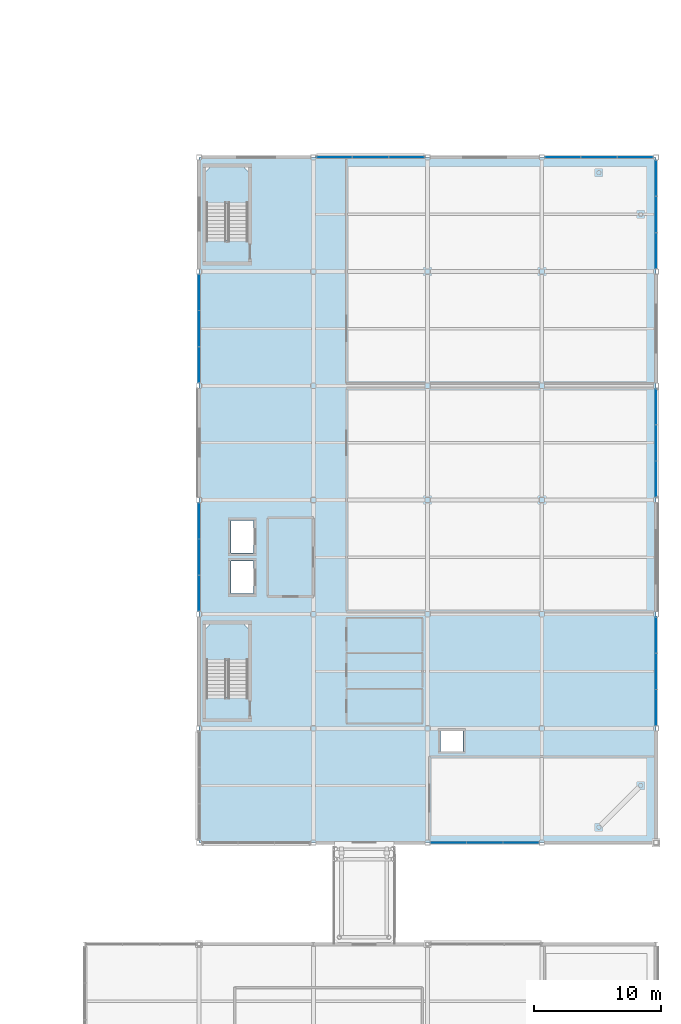
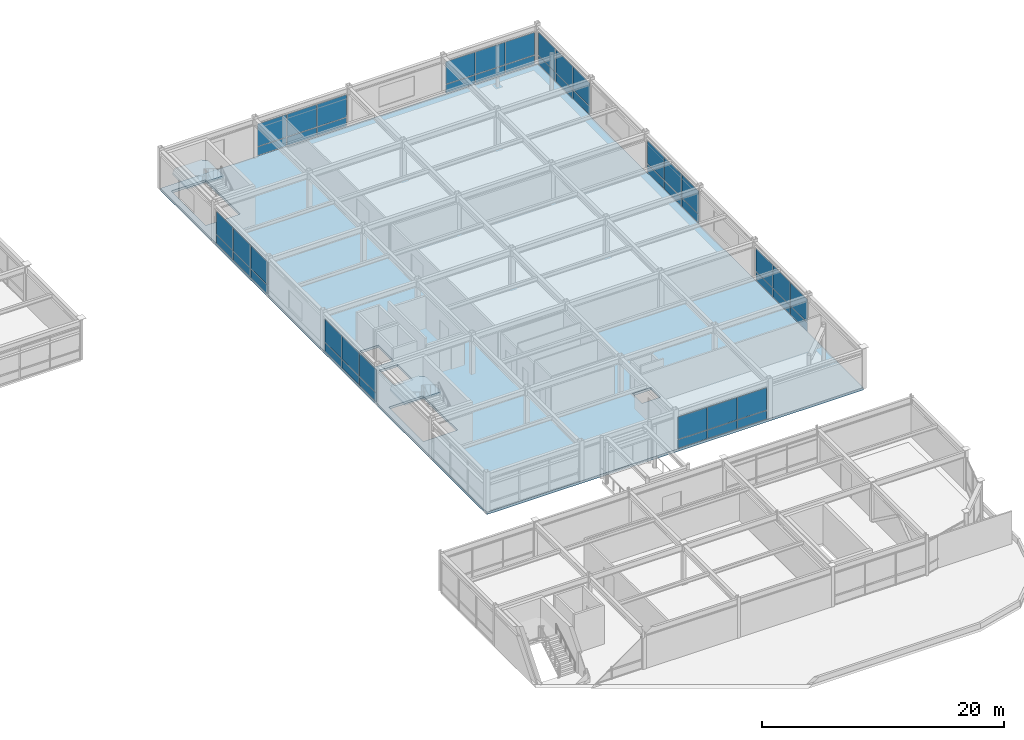
# One storey, part 43 of 70: 48 plates, 3 slabs, 10 elements without a shape of their own.
"""IFC4 building model written with IfcOpenShell, lengths in metres."""

from ifc_helpers import new_model, si_unit, direction, frame, origin, origin_2d, place, context, subcontext, project, spatial, polyline, rectangle, outline, extrude, material, layer, layer_set, type_object, element, aggregate, save


model = new_model("IFC4")

# Units and contexts
model_context = context("Model", 3, precision=1e-05, world=origin(), true_north=direction((0.0, 1.0)))
body_context = subcontext(model_context, "Body", "Model", "MODEL_VIEW")
ifc_project = project(units=[si_unit("LENGTHUNIT", "METRE"), si_unit("AREAUNIT", "SQUARE_METRE"), si_unit("VOLUMEUNIT", "CUBIC_METRE"), si_unit("PLANEANGLEUNIT", "RADIAN"), si_unit("MASSUNIT", "GRAM", prefix="KILO")], contexts=[model_context])

# Site, building, storey
site_placement = place(None, origin())
site = spatial("IfcSite", under=ifc_project, at=site_placement, CompositionType="ELEMENT")
building_placement = place(site_placement, origin())
building = spatial("IfcBuilding", under=site, at=building_placement, Name="Suzunagisa Mobility Hub", CompositionType="ELEMENT")
storey_placement = place(building_placement, frame((0.0, 0.0, 13.5)))
storey = spatial("IfcBuildingStorey", under=building, at=storey_placement, Name="L03", CompositionType="ELEMENT", Elevation=13.5)

# Slab
ifc_material_1 = material(Name="Concrete C35/45", Category="concrete")
ifc_layer_1 = layer(ifc_material_1, 0.25)
ifc_layer_set_1 = layer_set([ifc_layer_1], Name="Concrete C35/45")
slab_type_1 = type_object("IfcSlabType", Name="Composite Slab SL-13 250mm", PredefinedType="FLOOR", material=ifc_layer_set_1)
slab_1_placement = place(storey_placement, frame((0.0, 0.0, -0.25)))
element("IfcSlab", 1, at=slab_1_placement, inside=storey, type_object=slab_type_1, Name="L03 V6N Floor Slab", PredefinedType="FLOOR", context=body_context, shape_type="SweptSolid", body=[
    extrude(outline(polyline([(144.0, 44.0), (180.0, 44.0), (180.0, 98.0), (144.0, 98.0), (144.0, 44.0)]), holes=[polyline([(163.0, 51.199951171875), (164.800048828125, 51.199951171875), (164.800048828125, 52.800048828125), (163.0, 52.800048828125), (163.0, 51.199951171875)]), polyline([(144.56005859375, 55.47998046875), (147.840087890625, 55.47998046875), (147.840087890625, 61.199951171875), (144.56005859375, 61.199951171875), (144.56005859375, 55.47998046875)]), polyline([(146.52001953125, 63.6201171875), (148.280029296875, 63.6201171875), (148.280029296875, 66.179931640625), (146.52001953125, 66.179931640625), (146.52001953125, 63.6201171875)]), polyline([(146.52001953125, 66.820068359375), (148.280029296875, 66.820068359375), (148.280029296875, 69.3798828125), (146.52001953125, 69.3798828125), (146.52001953125, 66.820068359375)]), polyline([(144.56005859375, 91.47998046875), (147.840087890625, 91.47998046875), (147.840087890625, 97.199951171875), (144.56005859375, 97.199951171875), (144.56005859375, 91.47998046875)])]), origin(), (0.0, 0.0, 1.0), 0.25),
])

# Stair, slab
stair_type_1 = type_object("IfcStairType", Name="Dog-Leg Core Escape Stair ST-11 W1560", PredefinedType="HALF_TURN_STAIR", material=ifc_material_1)
stair_1_placement = place(storey_placement, origin())
stair_1 = element("IfcStair", 2, at=stair_1_placement, inside=storey, type_object=stair_type_1, Name="L03 Core C5 Escape Stair ST-11", PredefinedType="HALF_TURN_STAIR")
ifc_layer_2 = layer(ifc_material_1, 0.199951171875)
ifc_layer_set_2 = layer_set([ifc_layer_2], Name="Concrete C35/45")
slab_type_2 = type_object("IfcSlabType", Name="Core Stair Half-Landing Slab SL-SLND", PredefinedType="LANDING", material=ifc_layer_set_2)
slab_2_placement = place(storey_placement, frame((0.0, 0.0, 1.89990234375)))
slab_2 = element("IfcSlab", 3, at=slab_2_placement, type_object=slab_type_2, Name="ST-11 landing 1", PredefinedType="LANDING", context=body_context, shape_type="SweptSolid", body=[
    extrude(outline(polyline([(144.4599609375, 58.360107421875), (147.93994140625, 58.360107421875), (147.93994140625, 60.820068359375), (147.4599609375, 61.300048828125), (144.93994140625, 61.300048828125), (144.4599609375, 60.820068359375), (144.4599609375, 58.360107421875)])), origin(), (0.0, 0.0, 1.0), 0.2001953125),
])
aggregate(stair_1, [slab_2])

stair_type_2 = type_object("IfcStairType", Name="Dog-Leg Core Escape Stair ST-12 W1560", PredefinedType="HALF_TURN_STAIR", material=ifc_material_1)
stair_2_placement = place(storey_placement, origin())
stair_2 = element("IfcStair", 4, at=stair_2_placement, inside=storey, type_object=stair_type_2, Name="L03 Core C5B Escape Stair ST-12", PredefinedType="HALF_TURN_STAIR")
slab_3_placement = place(storey_placement, frame((0.0, 0.0, 1.89990234375)))
slab_3 = element("IfcSlab", 5, at=slab_3_placement, type_object=slab_type_2, Name="ST-12 landing 1", PredefinedType="LANDING", context=body_context, shape_type="SweptSolid", body=[
    extrude(outline(polyline([(144.4599609375, 94.360107421875), (147.93994140625, 94.360107421875), (147.93994140625, 96.820068359375), (147.4599609375, 97.300048828125), (144.93994140625, 97.300048828125), (144.4599609375, 96.820068359375), (144.4599609375, 94.360107421875)])), origin(), (0.0, 0.0, 1.0), 0.2001953125),
])
aggregate(stair_2, [slab_3])

# Curtain wall, plates
ifc_material_2 = material(Name="Thermally Broken Anodized Aluminum and Low-E Glazing", Category="aluminium")
curtain_wall_type_1 = type_object("IfcCurtainWallType", Name="Unitised Curtain Wall CW-43 8500x3300", PredefinedType="USERDEFINED", material=ifc_material_2)
curtain_wall_1_placement = place(storey_placement, origin())
curtain_wall_1 = element("IfcCurtainWall", 6, at=curtain_wall_1_placement, inside=storey, type_object=curtain_wall_type_1, Name="L03 Unitised Curtain Wall CW-205", ObjectType="UNITISED CURTAIN WALL", PredefinedType="USERDEFINED")
ifc_material_3 = material(Name="Low-E Solar-Control Double Glazing", Category="glass")
ifc_layer_3 = layer(ifc_material_3, 0.028076171875)
ifc_layer_set_3 = layer_set([ifc_layer_3], Name="Low-E Solar-Control Double Glazing")
plate_type = type_object("IfcPlateType", Name="Low-E Double Glazed Curtain Panel GP-01 28mm", PredefinedType="CURTAIN_PANEL", material=ifc_layer_set_3)
plate_1_placement = place(storey_placement, frame((163.648193359375, 44.0, 0.06298828125), z_axis=(0.0, 0.0, 1.0), x_axis=(1.0, 0.0, 0.0)))
plate_1 = element("IfcPlate", 7, at=plate_1_placement, type_object=plate_type, Name="Curtain Wall Glazing Panel 205-P1.1", PredefinedType="CURTAIN_PANEL", context=body_context, shape_type="SweptSolid", body=[
    extrude(rectangle(XDim=2.78076171875, YDim=0.028076171875, at=origin_2d()), origin(), (0.0, 0.0, 1.0), 0.8564453125),
])
plate_2_placement = place(storey_placement, frame((163.648193359375, 44.0, 0.98046875), z_axis=(0.0, 0.0, 1.0), x_axis=(1.0, 0.0, 0.0)))
plate_2 = element("IfcPlate", 8, at=plate_2_placement, type_object=plate_type, Name="Curtain Wall Glazing Panel 205-P1.2", PredefinedType="CURTAIN_PANEL", context=body_context, shape_type="SweptSolid", body=[
    extrude(rectangle(XDim=2.78076171875, YDim=0.028076171875, at=origin_2d()), origin(), (0.0, 0.0, 1.0), 2.24658203125),
])
plate_3_placement = place(storey_placement, frame((166.5, 44.0, 0.06298828125), z_axis=(0.0, 0.0, 1.0), x_axis=(1.0, 0.0, 0.0)))
plate_3 = element("IfcPlate", 9, at=plate_3_placement, type_object=plate_type, Name="Curtain Wall Glazing Panel 205-P2.1", PredefinedType="CURTAIN_PANEL", context=body_context, shape_type="SweptSolid", body=[
    extrude(rectangle(XDim=2.810546875, YDim=0.028076171875, at=origin_2d()), origin(), (0.0, 0.0, 1.0), 0.8564453125),
])
plate_4_placement = place(storey_placement, frame((166.5, 44.0, 0.98046875), z_axis=(0.0, 0.0, 1.0), x_axis=(1.0, 0.0, 0.0)))
plate_4 = element("IfcPlate", 10, at=plate_4_placement, type_object=plate_type, Name="Curtain Wall Glazing Panel 205-P2.2", PredefinedType="CURTAIN_PANEL", context=body_context, shape_type="SweptSolid", body=[
    extrude(rectangle(XDim=2.810546875, YDim=0.028076171875, at=origin_2d()), origin(), (0.0, 0.0, 1.0), 2.24658203125),
])
plate_5_placement = place(storey_placement, frame((169.3515625, 44.0, 0.06298828125), z_axis=(0.0, 0.0, 1.0), x_axis=(1.0, 0.0, 0.0)))
plate_5 = element("IfcPlate", 11, at=plate_5_placement, type_object=plate_type, Name="Curtain Wall Glazing Panel 205-P3.1", PredefinedType="CURTAIN_PANEL", context=body_context, shape_type="SweptSolid", body=[
    extrude(rectangle(XDim=2.78076171875, YDim=0.028076171875, at=origin_2d()), origin(), (0.0, 0.0, 1.0), 0.8564453125),
])
plate_6_placement = place(storey_placement, frame((169.3515625, 44.0, 0.98046875), z_axis=(0.0, 0.0, 1.0), x_axis=(1.0, 0.0, 0.0)))
plate_6 = element("IfcPlate", 12, at=plate_6_placement, type_object=plate_type, Name="Curtain Wall Glazing Panel 205-P3.2", PredefinedType="CURTAIN_PANEL", context=body_context, shape_type="SweptSolid", body=[
    extrude(rectangle(XDim=2.78076171875, YDim=0.028076171875, at=origin_2d()), origin(), (0.0, 0.0, 1.0), 2.24658203125),
])
aggregate(curtain_wall_1, [plate_1, plate_2, plate_3, plate_4, plate_5, plate_6])

curtain_wall_type_2 = type_object("IfcCurtainWallType", Name="Unitised Curtain Wall CW-29 8500x3400", PredefinedType="USERDEFINED", material=ifc_material_2)
curtain_wall_2_placement = place(storey_placement, origin())
curtain_wall_2 = element("IfcCurtainWall", 13, at=curtain_wall_2_placement, inside=storey, type_object=curtain_wall_type_2, Name="L03 Unitised Curtain Wall CW-206", ObjectType="UNITISED CURTAIN WALL", PredefinedType="USERDEFINED")
plate_7_placement = place(storey_placement, frame((180.0, 54.6484375, 0.06298828125), z_axis=(0.0, 0.0, 1.0), x_axis=(0.0, 1.0, 0.0)))
plate_7 = element("IfcPlate", 14, at=plate_7_placement, type_object=plate_type, Name="Curtain Wall Glazing Panel 206-P1.1", PredefinedType="CURTAIN_PANEL", context=body_context, shape_type="SweptSolid", body=[
    extrude(rectangle(XDim=2.78076171875, YDim=0.028076171875, at=origin_2d()), origin(), (0.0, 0.0, 1.0), 0.8564453125),
])
plate_8_placement = place(storey_placement, frame((180.0, 54.6484375, 0.98046875), z_axis=(0.0, 0.0, 1.0), x_axis=(0.0, 1.0, 0.0)))
plate_8 = element("IfcPlate", 15, at=plate_8_placement, type_object=plate_type, Name="Curtain Wall Glazing Panel 206-P1.2", PredefinedType="CURTAIN_PANEL", context=body_context, shape_type="SweptSolid", body=[
    extrude(rectangle(XDim=2.78076171875, YDim=0.028076171875, at=origin_2d()), origin(), (0.0, 0.0, 1.0), 2.30859375),
])
plate_9_placement = place(storey_placement, frame((180.0, 57.5, 0.06298828125), z_axis=(0.0, 0.0, 1.0), x_axis=(0.0, 1.0, 0.0)))
plate_9 = element("IfcPlate", 16, at=plate_9_placement, type_object=plate_type, Name="Curtain Wall Glazing Panel 206-P2.1", PredefinedType="CURTAIN_PANEL", context=body_context, shape_type="SweptSolid", body=[
    extrude(rectangle(XDim=2.810546875, YDim=0.028076171875, at=origin_2d()), origin(), (0.0, 0.0, 1.0), 0.8564453125),
])
plate_10_placement = place(storey_placement, frame((180.0, 57.5, 0.98046875), z_axis=(0.0, 0.0, 1.0), x_axis=(0.0, 1.0, 0.0)))
plate_10 = element("IfcPlate", 17, at=plate_10_placement, type_object=plate_type, Name="Curtain Wall Glazing Panel 206-P2.2", PredefinedType="CURTAIN_PANEL", context=body_context, shape_type="SweptSolid", body=[
    extrude(rectangle(XDim=2.810546875, YDim=0.028076171875, at=origin_2d()), origin(), (0.0, 0.0, 1.0), 2.30859375),
])
plate_11_placement = place(storey_placement, frame((180.0, 60.351806640625, 0.06298828125), z_axis=(0.0, 0.0, 1.0), x_axis=(0.0, 1.0, 0.0)))
plate_11 = element("IfcPlate", 18, at=plate_11_placement, type_object=plate_type, Name="Curtain Wall Glazing Panel 206-P3.1", PredefinedType="CURTAIN_PANEL", context=body_context, shape_type="SweptSolid", body=[
    extrude(rectangle(XDim=2.78076171875, YDim=0.028076171875, at=origin_2d()), origin(), (0.0, 0.0, 1.0), 0.8564453125),
])
plate_12_placement = place(storey_placement, frame((180.0, 60.351806640625, 0.98046875), z_axis=(0.0, 0.0, 1.0), x_axis=(0.0, 1.0, 0.0)))
plate_12 = element("IfcPlate", 19, at=plate_12_placement, type_object=plate_type, Name="Curtain Wall Glazing Panel 206-P3.2", PredefinedType="CURTAIN_PANEL", context=body_context, shape_type="SweptSolid", body=[
    extrude(rectangle(XDim=2.78076171875, YDim=0.028076171875, at=origin_2d()), origin(), (0.0, 0.0, 1.0), 2.30859375),
])
aggregate(curtain_wall_2, [plate_7, plate_8, plate_9, plate_10, plate_11, plate_12])

curtain_wall_3_placement = place(storey_placement, origin())
curtain_wall_3 = element("IfcCurtainWall", 20, at=curtain_wall_3_placement, inside=storey, type_object=curtain_wall_type_2, Name="L03 Unitised Curtain Wall CW-207", ObjectType="UNITISED CURTAIN WALL", PredefinedType="USERDEFINED")
plate_13_placement = place(storey_placement, frame((180.0, 72.6484375, 0.06298828125), z_axis=(0.0, 0.0, 1.0), x_axis=(0.0, 1.0, 0.0)))
plate_13 = element("IfcPlate", 21, at=plate_13_placement, type_object=plate_type, Name="Curtain Wall Glazing Panel 207-P1.1", PredefinedType="CURTAIN_PANEL", context=body_context, shape_type="SweptSolid", body=[
    extrude(rectangle(XDim=2.78076171875, YDim=0.028076171875, at=origin_2d()), origin(), (0.0, 0.0, 1.0), 0.8564453125),
])
plate_14_placement = place(storey_placement, frame((180.0, 72.6484375, 0.98046875), z_axis=(0.0, 0.0, 1.0), x_axis=(0.0, 1.0, 0.0)))
plate_14 = element("IfcPlate", 22, at=plate_14_placement, type_object=plate_type, Name="Curtain Wall Glazing Panel 207-P1.2", PredefinedType="CURTAIN_PANEL", context=body_context, shape_type="SweptSolid", body=[
    extrude(rectangle(XDim=2.78076171875, YDim=0.028076171875, at=origin_2d()), origin(), (0.0, 0.0, 1.0), 2.318603515625),
])
plate_15_placement = place(storey_placement, frame((180.0, 75.5, 0.06298828125), z_axis=(0.0, 0.0, 1.0), x_axis=(0.0, 1.0, 0.0)))
plate_15 = element("IfcPlate", 23, at=plate_15_placement, type_object=plate_type, Name="Curtain Wall Glazing Panel 207-P2.1", PredefinedType="CURTAIN_PANEL", context=body_context, shape_type="SweptSolid", body=[
    extrude(rectangle(XDim=2.810546875, YDim=0.028076171875, at=origin_2d()), origin(), (0.0, 0.0, 1.0), 0.8564453125),
])
plate_16_placement = place(storey_placement, frame((180.0, 75.5, 0.98046875), z_axis=(0.0, 0.0, 1.0), x_axis=(0.0, 1.0, 0.0)))
plate_16 = element("IfcPlate", 24, at=plate_16_placement, type_object=plate_type, Name="Curtain Wall Glazing Panel 207-P2.2", PredefinedType="CURTAIN_PANEL", context=body_context, shape_type="SweptSolid", body=[
    extrude(rectangle(XDim=2.810546875, YDim=0.028076171875, at=origin_2d()), origin(), (0.0, 0.0, 1.0), 2.318603515625),
])
plate_17_placement = place(storey_placement, frame((180.0, 78.351806640625, 0.06298828125), z_axis=(0.0, 0.0, 1.0), x_axis=(0.0, 1.0, 0.0)))
plate_17 = element("IfcPlate", 25, at=plate_17_placement, type_object=plate_type, Name="Curtain Wall Glazing Panel 207-P3.1", PredefinedType="CURTAIN_PANEL", context=body_context, shape_type="SweptSolid", body=[
    extrude(rectangle(XDim=2.78076171875, YDim=0.028076171875, at=origin_2d()), origin(), (0.0, 0.0, 1.0), 0.8564453125),
])
plate_18_placement = place(storey_placement, frame((180.0, 78.351806640625, 0.98046875), z_axis=(0.0, 0.0, 1.0), x_axis=(0.0, 1.0, 0.0)))
plate_18 = element("IfcPlate", 26, at=plate_18_placement, type_object=plate_type, Name="Curtain Wall Glazing Panel 207-P3.2", PredefinedType="CURTAIN_PANEL", context=body_context, shape_type="SweptSolid", body=[
    extrude(rectangle(XDim=2.78076171875, YDim=0.028076171875, at=origin_2d()), origin(), (0.0, 0.0, 1.0), 2.318603515625),
])
aggregate(curtain_wall_3, [plate_13, plate_14, plate_15, plate_16, plate_17, plate_18])

curtain_wall_4_placement = place(storey_placement, origin())
curtain_wall_4 = element("IfcCurtainWall", 27, at=curtain_wall_4_placement, inside=storey, type_object=curtain_wall_type_2, Name="L03 Unitised Curtain Wall CW-208", ObjectType="UNITISED CURTAIN WALL", PredefinedType="USERDEFINED")
plate_19_placement = place(storey_placement, frame((180.0, 90.6484375, 0.06298828125), z_axis=(0.0, 0.0, 1.0), x_axis=(0.0, 1.0, 0.0)))
plate_19 = element("IfcPlate", 28, at=plate_19_placement, type_object=plate_type, Name="Curtain Wall Glazing Panel 208-P1.1", PredefinedType="CURTAIN_PANEL", context=body_context, shape_type="SweptSolid", body=[
    extrude(rectangle(XDim=2.78076171875, YDim=0.028076171875, at=origin_2d()), origin(), (0.0, 0.0, 1.0), 0.8564453125),
])
plate_20_placement = place(storey_placement, frame((180.0, 90.6484375, 0.98046875), z_axis=(0.0, 0.0, 1.0), x_axis=(0.0, 1.0, 0.0)))
plate_20 = element("IfcPlate", 29, at=plate_20_placement, type_object=plate_type, Name="Curtain Wall Glazing Panel 208-P1.2", PredefinedType="CURTAIN_PANEL", context=body_context, shape_type="SweptSolid", body=[
    extrude(rectangle(XDim=2.78076171875, YDim=0.028076171875, at=origin_2d()), origin(), (0.0, 0.0, 1.0), 2.318603515625),
])
plate_21_placement = place(storey_placement, frame((180.0, 93.5, 0.06298828125), z_axis=(0.0, 0.0, 1.0), x_axis=(0.0, 1.0, 0.0)))
plate_21 = element("IfcPlate", 30, at=plate_21_placement, type_object=plate_type, Name="Curtain Wall Glazing Panel 208-P2.1", PredefinedType="CURTAIN_PANEL", context=body_context, shape_type="SweptSolid", body=[
    extrude(rectangle(XDim=2.810546875, YDim=0.028076171875, at=origin_2d()), origin(), (0.0, 0.0, 1.0), 0.8564453125),
])
plate_22_placement = place(storey_placement, frame((180.0, 93.5, 0.98046875), z_axis=(0.0, 0.0, 1.0), x_axis=(0.0, 1.0, 0.0)))
plate_22 = element("IfcPlate", 31, at=plate_22_placement, type_object=plate_type, Name="Curtain Wall Glazing Panel 208-P2.2", PredefinedType="CURTAIN_PANEL", context=body_context, shape_type="SweptSolid", body=[
    extrude(rectangle(XDim=2.810546875, YDim=0.028076171875, at=origin_2d()), origin(), (0.0, 0.0, 1.0), 2.318603515625),
])
plate_23_placement = place(storey_placement, frame((180.0, 96.351806640625, 0.06298828125), z_axis=(0.0, 0.0, 1.0), x_axis=(0.0, 1.0, 0.0)))
plate_23 = element("IfcPlate", 32, at=plate_23_placement, type_object=plate_type, Name="Curtain Wall Glazing Panel 208-P3.1", PredefinedType="CURTAIN_PANEL", context=body_context, shape_type="SweptSolid", body=[
    extrude(rectangle(XDim=2.78076171875, YDim=0.028076171875, at=origin_2d()), origin(), (0.0, 0.0, 1.0), 0.8564453125),
])
plate_24_placement = place(storey_placement, frame((180.0, 96.351806640625, 0.98046875), z_axis=(0.0, 0.0, 1.0), x_axis=(0.0, 1.0, 0.0)))
plate_24 = element("IfcPlate", 33, at=plate_24_placement, type_object=plate_type, Name="Curtain Wall Glazing Panel 208-P3.2", PredefinedType="CURTAIN_PANEL", context=body_context, shape_type="SweptSolid", body=[
    extrude(rectangle(XDim=2.78076171875, YDim=0.028076171875, at=origin_2d()), origin(), (0.0, 0.0, 1.0), 2.318603515625),
])
aggregate(curtain_wall_4, [plate_19, plate_20, plate_21, plate_22, plate_23, plate_24])

curtain_wall_5_placement = place(storey_placement, origin())
curtain_wall_5 = element("IfcCurtainWall", 34, at=curtain_wall_5_placement, inside=storey, type_object=curtain_wall_type_1, Name="L03 Unitised Curtain Wall CW-209", ObjectType="UNITISED CURTAIN WALL", PredefinedType="USERDEFINED")
plate_25_placement = place(storey_placement, frame((178.351806640625, 98.0, 0.06298828125), z_axis=(0.0, 0.0, 1.0), x_axis=(-1.0, 0.0, 0.0)))
plate_25 = element("IfcPlate", 35, at=plate_25_placement, type_object=plate_type, Name="Curtain Wall Glazing Panel 209-P1.1", PredefinedType="CURTAIN_PANEL", context=body_context, shape_type="SweptSolid", body=[
    extrude(rectangle(XDim=2.78076171875, YDim=0.028076171875, at=origin_2d()), origin(), (0.0, 0.0, 1.0), 0.8564453125),
])
plate_26_placement = place(storey_placement, frame((178.351806640625, 98.0, 0.98046875), z_axis=(0.0, 0.0, 1.0), x_axis=(-1.0, 0.0, 0.0)))
plate_26 = element("IfcPlate", 36, at=plate_26_placement, type_object=plate_type, Name="Curtain Wall Glazing Panel 209-P1.2", PredefinedType="CURTAIN_PANEL", context=body_context, shape_type="SweptSolid", body=[
    extrude(rectangle(XDim=2.78076171875, YDim=0.028076171875, at=origin_2d()), origin(), (0.0, 0.0, 1.0), 2.256591796875),
])
plate_27_placement = place(storey_placement, frame((175.5, 98.0, 0.06298828125), z_axis=(0.0, 0.0, 1.0), x_axis=(-1.0, 0.0, 0.0)))
plate_27 = element("IfcPlate", 37, at=plate_27_placement, type_object=plate_type, Name="Curtain Wall Glazing Panel 209-P2.1", PredefinedType="CURTAIN_PANEL", context=body_context, shape_type="SweptSolid", body=[
    extrude(rectangle(XDim=2.810546875, YDim=0.028076171875, at=origin_2d()), origin(), (0.0, 0.0, 1.0), 0.8564453125),
])
plate_28_placement = place(storey_placement, frame((175.5, 98.0, 0.98046875), z_axis=(0.0, 0.0, 1.0), x_axis=(-1.0, 0.0, 0.0)))
plate_28 = element("IfcPlate", 38, at=plate_28_placement, type_object=plate_type, Name="Curtain Wall Glazing Panel 209-P2.2", PredefinedType="CURTAIN_PANEL", context=body_context, shape_type="SweptSolid", body=[
    extrude(rectangle(XDim=2.810546875, YDim=0.028076171875, at=origin_2d()), origin(), (0.0, 0.0, 1.0), 2.256591796875),
])
plate_29_placement = place(storey_placement, frame((172.6484375, 98.0, 0.06298828125), z_axis=(0.0, 0.0, 1.0), x_axis=(-1.0, 0.0, 0.0)))
plate_29 = element("IfcPlate", 39, at=plate_29_placement, type_object=plate_type, Name="Curtain Wall Glazing Panel 209-P3.1", PredefinedType="CURTAIN_PANEL", context=body_context, shape_type="SweptSolid", body=[
    extrude(rectangle(XDim=2.78076171875, YDim=0.028076171875, at=origin_2d()), origin(), (0.0, 0.0, 1.0), 0.8564453125),
])
plate_30_placement = place(storey_placement, frame((172.6484375, 98.0, 0.98046875), z_axis=(0.0, 0.0, 1.0), x_axis=(-1.0, 0.0, 0.0)))
plate_30 = element("IfcPlate", 40, at=plate_30_placement, type_object=plate_type, Name="Curtain Wall Glazing Panel 209-P3.2", PredefinedType="CURTAIN_PANEL", context=body_context, shape_type="SweptSolid", body=[
    extrude(rectangle(XDim=2.78076171875, YDim=0.028076171875, at=origin_2d()), origin(), (0.0, 0.0, 1.0), 2.256591796875),
])
aggregate(curtain_wall_5, [plate_25, plate_26, plate_27, plate_28, plate_29, plate_30])

curtain_wall_6_placement = place(storey_placement, origin())
curtain_wall_6 = element("IfcCurtainWall", 41, at=curtain_wall_6_placement, inside=storey, type_object=curtain_wall_type_1, Name="L03 Unitised Curtain Wall CW-210", ObjectType="UNITISED CURTAIN WALL", PredefinedType="USERDEFINED")
plate_31_placement = place(storey_placement, frame((160.351806640625, 98.0, 0.06298828125), z_axis=(0.0, 0.0, 1.0), x_axis=(-1.0, 0.0, 0.0)))
plate_31 = element("IfcPlate", 42, at=plate_31_placement, type_object=plate_type, Name="Curtain Wall Glazing Panel 210-P1.1", PredefinedType="CURTAIN_PANEL", context=body_context, shape_type="SweptSolid", body=[
    extrude(rectangle(XDim=2.78076171875, YDim=0.028076171875, at=origin_2d()), origin(), (0.0, 0.0, 1.0), 0.8564453125),
])
plate_32_placement = place(storey_placement, frame((160.351806640625, 98.0, 0.98046875), z_axis=(0.0, 0.0, 1.0), x_axis=(-1.0, 0.0, 0.0)))
plate_32 = element("IfcPlate", 43, at=plate_32_placement, type_object=plate_type, Name="Curtain Wall Glazing Panel 210-P1.2", PredefinedType="CURTAIN_PANEL", context=body_context, shape_type="SweptSolid", body=[
    extrude(rectangle(XDim=2.78076171875, YDim=0.028076171875, at=origin_2d()), origin(), (0.0, 0.0, 1.0), 2.256591796875),
])
plate_33_placement = place(storey_placement, frame((157.5, 98.0, 0.06298828125), z_axis=(0.0, 0.0, 1.0), x_axis=(-1.0, 0.0, 0.0)))
plate_33 = element("IfcPlate", 44, at=plate_33_placement, type_object=plate_type, Name="Curtain Wall Glazing Panel 210-P2.1", PredefinedType="CURTAIN_PANEL", context=body_context, shape_type="SweptSolid", body=[
    extrude(rectangle(XDim=2.810546875, YDim=0.028076171875, at=origin_2d()), origin(), (0.0, 0.0, 1.0), 0.8564453125),
])
plate_34_placement = place(storey_placement, frame((157.5, 98.0, 0.98046875), z_axis=(0.0, 0.0, 1.0), x_axis=(-1.0, 0.0, 0.0)))
plate_34 = element("IfcPlate", 45, at=plate_34_placement, type_object=plate_type, Name="Curtain Wall Glazing Panel 210-P2.2", PredefinedType="CURTAIN_PANEL", context=body_context, shape_type="SweptSolid", body=[
    extrude(rectangle(XDim=2.810546875, YDim=0.028076171875, at=origin_2d()), origin(), (0.0, 0.0, 1.0), 2.256591796875),
])
plate_35_placement = place(storey_placement, frame((154.6484375, 98.0, 0.06298828125), z_axis=(0.0, 0.0, 1.0), x_axis=(-1.0, 0.0, 0.0)))
plate_35 = element("IfcPlate", 46, at=plate_35_placement, type_object=plate_type, Name="Curtain Wall Glazing Panel 210-P3.1", PredefinedType="CURTAIN_PANEL", context=body_context, shape_type="SweptSolid", body=[
    extrude(rectangle(XDim=2.78076171875, YDim=0.028076171875, at=origin_2d()), origin(), (0.0, 0.0, 1.0), 0.8564453125),
])
plate_36_placement = place(storey_placement, frame((154.6484375, 98.0, 0.98046875), z_axis=(0.0, 0.0, 1.0), x_axis=(-1.0, 0.0, 0.0)))
plate_36 = element("IfcPlate", 47, at=plate_36_placement, type_object=plate_type, Name="Curtain Wall Glazing Panel 210-P3.2", PredefinedType="CURTAIN_PANEL", context=body_context, shape_type="SweptSolid", body=[
    extrude(rectangle(XDim=2.78076171875, YDim=0.028076171875, at=origin_2d()), origin(), (0.0, 0.0, 1.0), 2.256591796875),
])
aggregate(curtain_wall_6, [plate_31, plate_32, plate_33, plate_34, plate_35, plate_36])

curtain_wall_7_placement = place(storey_placement, origin())
curtain_wall_7 = element("IfcCurtainWall", 48, at=curtain_wall_7_placement, inside=storey, type_object=curtain_wall_type_2, Name="L03 Unitised Curtain Wall CW-211", ObjectType="UNITISED CURTAIN WALL", PredefinedType="USERDEFINED")
plate_37_placement = place(storey_placement, frame((144.0, 87.3515625, 0.06298828125), z_axis=(0.0, 0.0, 1.0), x_axis=(0.0, -1.0, 0.0)))
plate_37 = element("IfcPlate", 49, at=plate_37_placement, type_object=plate_type, Name="Curtain Wall Glazing Panel 211-P1.1", PredefinedType="CURTAIN_PANEL", context=body_context, shape_type="SweptSolid", body=[
    extrude(rectangle(XDim=2.78076171875, YDim=0.028076171875, at=origin_2d()), origin(), (0.0, 0.0, 1.0), 0.8564453125),
])
plate_38_placement = place(storey_placement, frame((144.0, 87.3515625, 0.98046875), z_axis=(0.0, 0.0, 1.0), x_axis=(0.0, -1.0, 0.0)))
plate_38 = element("IfcPlate", 50, at=plate_38_placement, type_object=plate_type, Name="Curtain Wall Glazing Panel 211-P1.2", PredefinedType="CURTAIN_PANEL", context=body_context, shape_type="SweptSolid", body=[
    extrude(rectangle(XDim=2.78076171875, YDim=0.028076171875, at=origin_2d()), origin(), (0.0, 0.0, 1.0), 2.318603515625),
])
plate_39_placement = place(storey_placement, frame((144.0, 84.5, 0.06298828125), z_axis=(0.0, 0.0, 1.0), x_axis=(0.0, -1.0, 0.0)))
plate_39 = element("IfcPlate", 51, at=plate_39_placement, type_object=plate_type, Name="Curtain Wall Glazing Panel 211-P2.1", PredefinedType="CURTAIN_PANEL", context=body_context, shape_type="SweptSolid", body=[
    extrude(rectangle(XDim=2.810546875, YDim=0.028076171875, at=origin_2d()), origin(), (0.0, 0.0, 1.0), 0.8564453125),
])
plate_40_placement = place(storey_placement, frame((144.0, 84.5, 0.98046875), z_axis=(0.0, 0.0, 1.0), x_axis=(0.0, -1.0, 0.0)))
plate_40 = element("IfcPlate", 52, at=plate_40_placement, type_object=plate_type, Name="Curtain Wall Glazing Panel 211-P2.2", PredefinedType="CURTAIN_PANEL", context=body_context, shape_type="SweptSolid", body=[
    extrude(rectangle(XDim=2.810546875, YDim=0.028076171875, at=origin_2d()), origin(), (0.0, 0.0, 1.0), 2.318603515625),
])
plate_41_placement = place(storey_placement, frame((144.0, 81.648193359375, 0.06298828125), z_axis=(0.0, 0.0, 1.0), x_axis=(0.0, -1.0, 0.0)))
plate_41 = element("IfcPlate", 53, at=plate_41_placement, type_object=plate_type, Name="Curtain Wall Glazing Panel 211-P3.1", PredefinedType="CURTAIN_PANEL", context=body_context, shape_type="SweptSolid", body=[
    extrude(rectangle(XDim=2.78076171875, YDim=0.028076171875, at=origin_2d()), origin(), (0.0, 0.0, 1.0), 0.8564453125),
])
plate_42_placement = place(storey_placement, frame((144.0, 81.648193359375, 0.98046875), z_axis=(0.0, 0.0, 1.0), x_axis=(0.0, -1.0, 0.0)))
plate_42 = element("IfcPlate", 54, at=plate_42_placement, type_object=plate_type, Name="Curtain Wall Glazing Panel 211-P3.2", PredefinedType="CURTAIN_PANEL", context=body_context, shape_type="SweptSolid", body=[
    extrude(rectangle(XDim=2.78076171875, YDim=0.028076171875, at=origin_2d()), origin(), (0.0, 0.0, 1.0), 2.318603515625),
])
aggregate(curtain_wall_7, [plate_37, plate_38, plate_39, plate_40, plate_41, plate_42])

curtain_wall_8_placement = place(storey_placement, origin())
curtain_wall_8 = element("IfcCurtainWall", 55, at=curtain_wall_8_placement, inside=storey, type_object=curtain_wall_type_2, Name="L03 Unitised Curtain Wall CW-212", ObjectType="UNITISED CURTAIN WALL", PredefinedType="USERDEFINED")
plate_43_placement = place(storey_placement, frame((144.0, 69.3515625, 0.06298828125), z_axis=(0.0, 0.0, 1.0), x_axis=(0.0, -1.0, 0.0)))
plate_43 = element("IfcPlate", 56, at=plate_43_placement, type_object=plate_type, Name="Curtain Wall Glazing Panel 212-P1.1", PredefinedType="CURTAIN_PANEL", context=body_context, shape_type="SweptSolid", body=[
    extrude(rectangle(XDim=2.78076171875, YDim=0.028076171875, at=origin_2d()), origin(), (0.0, 0.0, 1.0), 0.8564453125),
])
plate_44_placement = place(storey_placement, frame((144.0, 69.3515625, 0.98046875), z_axis=(0.0, 0.0, 1.0), x_axis=(0.0, -1.0, 0.0)))
plate_44 = element("IfcPlate", 57, at=plate_44_placement, type_object=plate_type, Name="Curtain Wall Glazing Panel 212-P1.2", PredefinedType="CURTAIN_PANEL", context=body_context, shape_type="SweptSolid", body=[
    extrude(rectangle(XDim=2.78076171875, YDim=0.028076171875, at=origin_2d()), origin(), (0.0, 0.0, 1.0), 2.318603515625),
])
plate_45_placement = place(storey_placement, frame((144.0, 66.5, 0.06298828125), z_axis=(0.0, 0.0, 1.0), x_axis=(0.0, -1.0, 0.0)))
plate_45 = element("IfcPlate", 58, at=plate_45_placement, type_object=plate_type, Name="Curtain Wall Glazing Panel 212-P2.1", PredefinedType="CURTAIN_PANEL", context=body_context, shape_type="SweptSolid", body=[
    extrude(rectangle(XDim=2.810546875, YDim=0.028076171875, at=origin_2d()), origin(), (0.0, 0.0, 1.0), 0.8564453125),
])
plate_46_placement = place(storey_placement, frame((144.0, 66.5, 0.98046875), z_axis=(0.0, 0.0, 1.0), x_axis=(0.0, -1.0, 0.0)))
plate_46 = element("IfcPlate", 59, at=plate_46_placement, type_object=plate_type, Name="Curtain Wall Glazing Panel 212-P2.2", PredefinedType="CURTAIN_PANEL", context=body_context, shape_type="SweptSolid", body=[
    extrude(rectangle(XDim=2.810546875, YDim=0.028076171875, at=origin_2d()), origin(), (0.0, 0.0, 1.0), 2.318603515625),
])
plate_47_placement = place(storey_placement, frame((144.0, 63.648193359375, 0.06298828125), z_axis=(0.0, 0.0, 1.0), x_axis=(0.0, -1.0, 0.0)))
plate_47 = element("IfcPlate", 60, at=plate_47_placement, type_object=plate_type, Name="Curtain Wall Glazing Panel 212-P3.1", PredefinedType="CURTAIN_PANEL", context=body_context, shape_type="SweptSolid", body=[
    extrude(rectangle(XDim=2.78076171875, YDim=0.028076171875, at=origin_2d()), origin(), (0.0, 0.0, 1.0), 0.8564453125),
])
plate_48_placement = place(storey_placement, frame((144.0, 63.648193359375, 0.98046875), z_axis=(0.0, 0.0, 1.0), x_axis=(0.0, -1.0, 0.0)))
plate_48 = element("IfcPlate", 61, at=plate_48_placement, type_object=plate_type, Name="Curtain Wall Glazing Panel 212-P3.2", PredefinedType="CURTAIN_PANEL", context=body_context, shape_type="SweptSolid", body=[
    extrude(rectangle(XDim=2.78076171875, YDim=0.028076171875, at=origin_2d()), origin(), (0.0, 0.0, 1.0), 2.318603515625),
])
aggregate(curtain_wall_8, [plate_43, plate_44, plate_45, plate_46, plate_47, plate_48])

save(model, "model.ifc")
